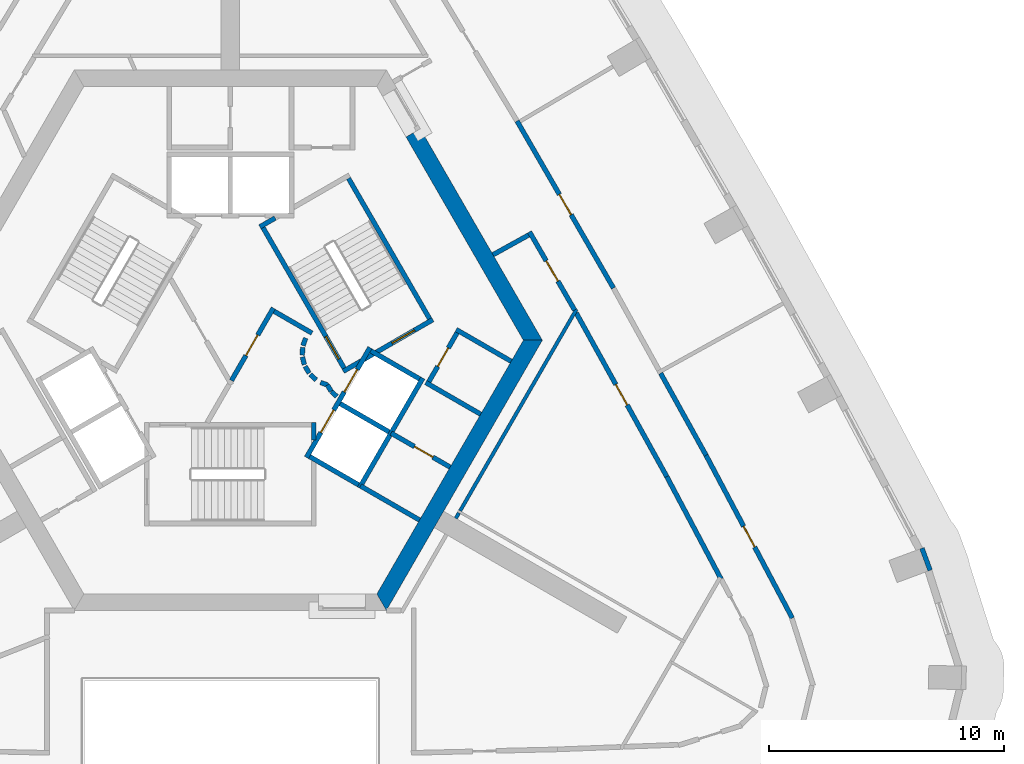
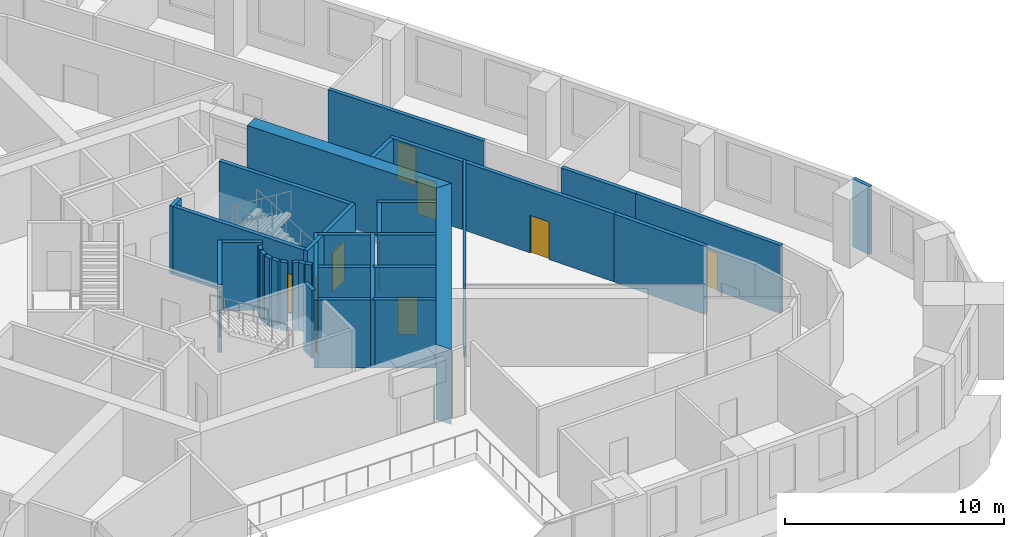
# One storey, part 7 of 13: 37 walls, 11 doors, 11 openings.
"""IFC4 building model written with IfcOpenShell, lengths in metres."""

from ifc_helpers import new_model, si_unit, direction, frame, frame_2d, origin, place, context, subcontext, project, spatial, polyline, rectangle, outline, extrude, material, layer, layer_set, type_object, element, fill, save


model = new_model("IFC4")

# Units and contexts
model_context = context("Model", 3, precision=1e-05, world=origin(), true_north=direction((0.0, 1.0)))
body_context = subcontext(model_context, "Body", "Model", "MODEL_VIEW")
ifc_project = project(units=[si_unit("LENGTHUNIT", "METRE"), si_unit("AREAUNIT", "SQUARE_METRE"), si_unit("VOLUMEUNIT", "CUBIC_METRE"), si_unit("PLANEANGLEUNIT", "RADIAN"), si_unit("MASSUNIT", "GRAM", prefix="KILO")], contexts=[model_context])

# Site, building, storey
site_placement = place(None, origin())
site = spatial("IfcSite", under=ifc_project, at=site_placement, CompositionType="ELEMENT")
building_placement = place(site_placement, origin())
building = spatial("IfcBuilding", under=site, at=building_placement, Name="Entoto Arch Interchange Tower", CompositionType="ELEMENT")
storey_placement = place(building_placement, frame((0.0, 0.0, 219.199951171875)))
storey = spatial("IfcBuildingStorey", under=building, at=storey_placement, Name="L49", CompositionType="ELEMENT", Elevation=219.199951171875)

# Walls
ifc_material_1 = material(Name="Concrete C50/60", Category="concrete")
ifc_layer_1 = layer(ifc_material_1, 0.699951171875)
ifc_layer_set_1 = layer_set([ifc_layer_1], Name="Concrete C50/60")
wall_type_1 = type_object("IfcWallType", Name="Core wall 700 C50/60", PredefinedType="SHEAR", material=ifc_layer_set_1)
wall_1_placement = place(storey_placement, frame((0.0, 0.0, -0.39990234375)))
element("IfcWall", 1, at=wall_1_placement, inside=storey, type_object=wall_type_1, Name="Core wall NE L49", PredefinedType="SHEAR", context=body_context, shape_type="SweptSolid", body=[
    extrude(outline(polyline([(8.083984375, 11.498046875), (7.47802734375, 11.14794921875), (12.470947265625, 2.5), (13.279052734375, 2.5), (8.083984375, 11.498046875)])), origin(), (0.0, 0.0, 1.0), 4.199951171875),
])
wall_2_placement = place(storey_placement, frame((0.0, 0.0, -0.39990234375)))
element("IfcWall", 2, at=wall_2_placement, inside=storey, type_object=wall_type_1, Name="Core wall SE L49", PredefinedType="SHEAR", context=body_context, shape_type="SweptSolid", body=[
    extrude(outline(polyline([(6.639892578125, -9.0), (13.279052734375, 2.5), (12.470947265625, 2.5), (6.235107421875, -8.300048828125), (6.639892578125, -9.0)])), origin(), (0.0, 0.0, 1.0), 4.199951171875),
])

# Wall, openings, doors
ifc_material_2 = material(Name="Concrete C40/50", Category="concrete")
ifc_layer_2 = layer(ifc_material_2, 0.199951171875)
ifc_layer_set_2 = layer_set([ifc_layer_2], Name="Concrete C40/50")
wall_type_2 = type_object("IfcWallType", Name="LIFT SHAFT WALL 200", PredefinedType="STANDARD", material=ifc_layer_set_2)
wall_3_placement = place(storey_placement, frame((3.239990234375, -2.488037109375, 0.0), z_axis=(0.0, 0.0, 1.0), x_axis=(0.500034260056, 0.866005622828, 0.0)))
wall_3 = element("IfcWall", 3, at=wall_3_placement, inside=storey, type_object=wall_type_2, Name="Shaft wall SE1 front", PredefinedType="STANDARD", context=body_context, shape_type="SweptSolid", body=[
    extrude(rectangle(XDim=5.3994140625, YDim=0.199951171875, at=frame_2d((2.69970703125, 0.0))), origin(), (0.0, 0.0, 1.0), 3.800048828125),
])
opening_1_placement = place(wall_3_placement, frame((3.22509765625, 0.0, 0.0)))
opening_1 = element("IfcOpeningElement", 4, at=opening_1_placement, cuts=wall_3, Name="Opening LD-HR3-L49", PredefinedType="OPENING", context=body_context, shape_type="SweptSolid", body=[
    extrude(rectangle(XDim=1.10009765625, YDim=2.10009765625, at=frame_2d((0.550048828125, 1.050048828125))), frame((0.0, 0.10986328125, 0.0), z_axis=(0.0, -1.0, 0.0), x_axis=(1.0, 0.0, 0.0)), (0.0, 0.0, 1.0), 0.219970703125),
])
opening_2_placement = place(wall_3_placement, frame((1.22509765625, 0.0, 0.0)))
opening_2 = element("IfcOpeningElement", 5, at=opening_2_placement, cuts=wall_3, Name="Opening LD-FF1-L49", PredefinedType="OPENING", context=body_context, shape_type="SweptSolid", body=[
    extrude(rectangle(XDim=1.10009765625, YDim=2.10009765625, at=frame_2d((0.550048828125, 1.050048828125))), frame((0.0, 0.10986328125, 0.0), z_axis=(0.0, -1.0, 0.0), x_axis=(1.0, 0.0, 0.0)), (0.0, 0.0, 1.0), 0.219970703125),
])
ifc_material_3 = material(Name="Stainless steel 1.4301 panels", Category="steel")
door_type_1 = type_object("IfcDoorType", Name="LIFT LANDING DOOR LD1 1100x2100", OperationType="SLIDING_TO_LEFT", PredefinedType="DOOR", material=ifc_material_3)
door_1_placement = place(opening_1_placement, origin())
door_1 = element("IfcDoor", 6, at=door_1_placement, inside=storey, type_object=door_type_1, Name="Lift landing door HR3 L49", OperationType="SLIDING_TO_LEFT", OverallHeight=2.10009765625, OverallWidth=1.10009765625, PredefinedType="DOOR", context=body_context, shape_type="SweptSolid", body=[
    extrude(rectangle(XDim=1.10009765625, YDim=2.10009765625, at=frame_2d((0.550048828125, 1.050048828125))), frame((0.0, 0.02490234375, 0.0), z_axis=(0.0, -1.0, 0.0), x_axis=(1.0, 0.0, 0.0)), (0.0, 0.0, 1.0), 0.050048828125),
])
fill(opening_1, door_1)
door_2_placement = place(opening_2_placement, origin())
door_2 = element("IfcDoor", 7, at=door_2_placement, inside=storey, type_object=door_type_1, Name="Lift landing door FF1 L49", OperationType="SLIDING_TO_LEFT", OverallHeight=2.10009765625, OverallWidth=1.10009765625, PredefinedType="DOOR", context=body_context, shape_type="SweptSolid", body=[
    extrude(rectangle(XDim=1.10009765625, YDim=2.10009765625, at=frame_2d((0.550048828125, 1.050048828125))), frame((0.0, 0.02490234375, 0.0), z_axis=(0.0, -1.0, 0.0), x_axis=(1.0, 0.0, 0.0)), (0.0, 0.0, 1.0), 0.050048828125),
])
fill(opening_2, door_2)

# Walls
wall_4_placement = place(storey_placement, frame((5.491943359375, -3.7880859375, 0.0), z_axis=(0.0, 0.0, 1.0), x_axis=(0.500034260056, 0.866005622828, 0.0)))
element("IfcWall", 8, at=wall_4_placement, inside=storey, type_object=wall_type_2, Name="Shaft wall SE1 back", PredefinedType="STANDARD", context=body_context, shape_type="SweptSolid", body=[
    extrude(rectangle(XDim=5.3994140625, YDim=0.199951171875, at=frame_2d((2.69970703125, 0.0))), origin(), (0.0, 0.0, 1.0), 3.800048828125),
])
wall_5_placement = place(storey_placement, frame((3.376953125, -2.451904296875, 0.0), z_axis=(0.0, 0.0, 1.0), x_axis=(0.865955154139, -0.50012165622, 0.0)))
element("IfcWall", 9, at=wall_5_placement, inside=storey, type_object=wall_type_2, Name="Shaft wall SE1 cross 1", PredefinedType="STANDARD", context=body_context, shape_type="SweptSolid", body=[
    extrude(rectangle(XDim=2.39990234375, YDim=0.199951171875, at=frame_2d((1.199951171875, 0.0))), origin(), (0.0, 0.0, 1.0), 3.800048828125),
])
for number, where, z_axis, x_axis, name in (
    (10, (4.677001953125, -0.199951171875, 0.0), (0.0, 0.0, 1.0), (0.865973769406, -0.500089422704, 0.0), "Shaft wall SE1 cross 2"),
    (11, (5.97705078125, 2.052001953125, 0.0), (0.0, 0.0, 1.0), (0.865973769406, -0.500089422704, 0.0), "Shaft wall SE1 cross 3"),
):
    element("IfcWall", number, at=place(storey_placement, frame(where, z_axis=z_axis, x_axis=x_axis)), inside=storey, type_object=wall_type_2, Name=name, PredefinedType="STANDARD", context=body_context, shape_type="SweptSolid", body=[
        extrude(rectangle(XDim=2.3994140625, YDim=0.199951171875, at=frame_2d((1.19970703125, 0.0))), origin(), (0.0, 0.0, 1.0), 3.800048828125),
    ])
ifc_material_4 = material(Name="Gypsum board partition on steel studs", Category="steel")
ifc_layer_3 = layer(ifc_material_4, 0.14990234375)
ifc_layer_set_3 = layer_set([ifc_layer_3], Name="Gypsum board partition on steel studs")
wall_type_3 = type_object("IfcWallType", Name="PARTITION 150", PredefinedType="PARTITIONING", material=ifc_layer_set_3)
wall_6_placement = place(storey_placement, frame((9.779052734375, -4.761962890625, 0.0), z_axis=(0.0, 0.0, 1.0), x_axis=(0.499990552429, 0.866030858274, 0.0)))
element("IfcWall", 12, at=wall_6_placement, inside=storey, type_object=wall_type_3, Name="wall:L49:p088", PredefinedType="PARTITIONING", context=body_context, shape_type="SweptSolid", body=[
    extrude(rectangle(XDim=9.906005859375, YDim=0.14990234375, at=frame_2d((4.953125, 0.0))), origin(), (0.0, 0.0, 1.0), 3.800048828125),
])
wall_7_placement = place(storey_placement, frame((9.595947265625, -5.0791015625, 0.0), z_axis=(0.0, 0.0, 1.0), x_axis=(0.500782702656, 0.865573038351, 0.0)))
element("IfcWall", 13, at=wall_7_placement, inside=storey, type_object=wall_type_3, Name="wall:L49:p087", PredefinedType="PARTITIONING", context=body_context, shape_type="SweptSolid", body=[
    extrude(rectangle(XDim=0.265625, YDim=0.14990234375, at=frame_2d((0.1328125, 0.0))), origin(), (0.0, 0.0, 1.0), 3.800048828125),
])

# Wall, opening, door
ifc_layer_4 = layer(ifc_material_4, 0.199951171875)
ifc_layer_set_4 = layer_set([ifc_layer_4], Name="Gypsum board partition on steel studs")
wall_type_4 = type_object("IfcWallType", Name="PARTITION 200", PredefinedType="PARTITIONING", material=ifc_layer_set_4)
wall_8_placement = place(storey_placement, frame((14.652099609375, 3.782958984375, 0.0), z_axis=(0.0, 0.0, 1.0), x_axis=(-0.499821427992, 0.866128477837, 0.0)))
wall_8 = element("IfcWall", 14, at=wall_8_placement, inside=storey, type_object=wall_type_4, Name="wall:L49:p004", PredefinedType="PARTITIONING", context=body_context, shape_type="SweptSolid", body=[
    extrude(rectangle(XDim=3.84375, YDim=0.199951171875, at=frame_2d((1.921875, 0.0))), origin(), (0.0, 0.0, 1.0), 3.800048828125),
])
opening_3_placement = place(wall_8_placement, frame((1.4208984375, 0.0, 0.0)))
opening_3 = element("IfcOpeningElement", 15, at=opening_3_placement, cuts=wall_8, Name="Opening L49-D27", PredefinedType="OPENING", context=body_context, shape_type="SweptSolid", body=[
    extrude(rectangle(XDim=1.0, YDim=2.10009765625, at=frame_2d((0.5, 1.050048828125))), frame((0.0, 0.10986328125, 0.0), z_axis=(0.0, -1.0, 0.0), x_axis=(1.0, 0.0, 0.0)), (0.0, 0.0, 1.0), 0.219970703125),
])
ifc_material_5 = material(Name="Timber door leaf in Steel S235 frame", Category="steel")
door_type_2 = type_object("IfcDoorType", Name="DOOR DS-10 1000x2100", OperationType="SINGLE_SWING_LEFT", PredefinedType="DOOR", material=ifc_material_5)
door_3_placement = place(opening_3_placement, origin())
door_3 = element("IfcDoor", 16, at=door_3_placement, inside=storey, type_object=door_type_2, Name="door:L49:27", OperationType="SINGLE_SWING_LEFT", OverallHeight=2.10009765625, OverallWidth=1.0, PredefinedType="DOOR", context=body_context, shape_type="SweptSolid", body=[
    extrude(rectangle(XDim=1.0, YDim=2.10009765625, at=frame_2d((0.5, 1.050048828125))), frame((0.0, 0.02490234375, 0.0), z_axis=(0.0, -1.0, 0.0), x_axis=(1.0, 0.0, 0.0)), (0.0, 0.0, 1.0), 0.050048828125),
])
fill(opening_3, door_3)

# Walls
wall_9_placement = place(storey_placement, frame((12.693115234375, 6.97607421875, 0.0), z_axis=(0.0, 0.0, 1.0), x_axis=(-0.874908151187, -0.484288887944, 0.0)))
element("IfcWall", 17, at=wall_9_placement, inside=storey, type_object=wall_type_4, Name="wall:L49:p005", PredefinedType="PARTITIONING", context=body_context, shape_type="SweptSolid", body=[
    extrude(rectangle(XDim=1.730712890625, YDim=0.199951171875, at=frame_2d((0.865234375, 0.0))), origin(), (0.0, 0.0, 1.0), 3.800048828125),
])
wall_10_placement = place(storey_placement, frame((20.882080078125, -7.658935546875, 0.0), z_axis=(0.0, 0.0, 1.0), x_axis=(-0.468206254133, 0.883619207346, 0.0)))
element("IfcWall", 18, at=wall_10_placement, inside=storey, type_object=wall_type_4, Name="wall:L49:p016", PredefinedType="PARTITIONING", context=body_context, shape_type="SweptSolid", body=[
    extrude(rectangle(XDim=4.9296875, YDim=0.199951171875, at=frame_2d((2.46484375, 0.0))), origin(), (0.0, 0.0, 1.0), 3.800048828125),
])

# Wall, opening, door
wall_11_placement = place(storey_placement, frame((18.573974609375, -3.302978515625, 0.0), z_axis=(0.0, 0.0, 1.0), x_axis=(-0.484239190765, 0.874935658279, 0.0)))
wall_11 = element("IfcWall", 19, at=wall_11_placement, inside=storey, type_object=wall_type_4, Name="wall:L49:p017", PredefinedType="PARTITIONING", context=body_context, shape_type="SweptSolid", body=[
    extrude(rectangle(XDim=7.962890625, YDim=0.199951171875, at=frame_2d((3.9814453125, 0.0))), origin(), (0.0, 0.0, 1.0), 3.800048828125),
])
opening_4_placement = place(wall_11_placement, frame((3.48193359375, 0.0, 0.0)))
opening_4 = element("IfcOpeningElement", 20, at=opening_4_placement, cuts=wall_11, Name="Opening L49-D17", PredefinedType="OPENING", context=body_context, shape_type="SweptSolid", body=[
    extrude(rectangle(XDim=1.0, YDim=2.10009765625, at=frame_2d((0.5, 1.050048828125))), frame((0.0, 0.10986328125, 0.0), z_axis=(0.0, -1.0, 0.0), x_axis=(1.0, 0.0, 0.0)), (0.0, 0.0, 1.0), 0.219970703125),
])
door_4_placement = place(opening_4_placement, origin())
door_4 = element("IfcDoor", 21, at=door_4_placement, inside=storey, type_object=door_type_2, Name="door:L49:17", OperationType="SINGLE_SWING_LEFT", OverallHeight=2.10009765625, OverallWidth=1.0, PredefinedType="DOOR", context=body_context, shape_type="SweptSolid", body=[
    extrude(rectangle(XDim=1.0, YDim=2.10009765625, at=frame_2d((0.5, 1.050048828125))), frame((0.0, 0.02490234375, 0.0), z_axis=(0.0, -1.0, 0.0), x_axis=(1.0, 0.0, 0.0)), (0.0, 0.0, 1.0), 0.050048828125),
])
fill(opening_4, door_4)

# Wall
wall_12_placement = place(storey_placement, frame((18.31201171875, 1.093994140625, 0.0), z_axis=(0.0, 0.0, 1.0), x_axis=(0.484328424129, -0.874886265511, 0.0)))
element("IfcWall", 22, at=wall_12_placement, inside=storey, type_object=wall_type_4, Name="wall:L49:p037", PredefinedType="PARTITIONING", context=body_context, shape_type="SweptSolid", body=[
    extrude(rectangle(XDim=3.9912109375, YDim=0.199951171875, at=frame_2d((1.99560546875, 0.0))), origin(), (0.0, 0.0, 1.0), 3.800048828125),
])

# Wall, opening, door
wall_13_placement = place(storey_placement, frame((20.2451171875, -2.39794921875, 0.0), z_axis=(0.0, 0.0, 1.0), x_axis=(0.468063775621, -0.883694688199, 0.0)))
wall_13 = element("IfcWall", 23, at=wall_13_placement, inside=storey, type_object=wall_type_4, Name="wall:L49:p038", PredefinedType="PARTITIONING", context=body_context, shape_type="SweptSolid", body=[
    extrude(rectangle(XDim=7.83642578125, YDim=0.199951171875, at=frame_2d((3.918212890625, 0.0))), origin(), (0.0, 0.0, 1.0), 3.800048828125),
])
opening_5_placement = place(wall_13_placement, frame((3.41796875, 0.0, 0.0)))
opening_5 = element("IfcOpeningElement", 24, at=opening_5_placement, cuts=wall_13, Name="Opening L49-D03", PredefinedType="OPENING", context=body_context, shape_type="SweptSolid", body=[
    extrude(rectangle(XDim=1.0, YDim=2.10009765625, at=frame_2d((0.5, 1.050048828125))), frame((0.0, 0.10986328125, 0.0), z_axis=(0.0, -1.0, 0.0), x_axis=(1.0, 0.0, 0.0)), (0.0, 0.0, 1.0), 0.219970703125),
])
door_5_placement = place(opening_5_placement, origin())
door_5 = element("IfcDoor", 25, at=door_5_placement, inside=storey, type_object=door_type_2, Name="door:L49:03", OperationType="SINGLE_SWING_LEFT", OverallHeight=2.10009765625, OverallWidth=1.0, PredefinedType="DOOR", context=body_context, shape_type="SweptSolid", body=[
    extrude(rectangle(XDim=1.0, YDim=2.10009765625, at=frame_2d((0.5, 1.050048828125))), frame((0.0, 0.02490234375, 0.0), z_axis=(0.0, -1.0, 0.0), x_axis=(1.0, 0.0, 0.0)), (0.0, 0.0, 1.0), 0.050048828125),
])
fill(opening_5, door_5)

wall_14_placement = place(storey_placement, frame((12.201904296875, 11.827880859375, 0.0), z_axis=(0.0, 0.0, 1.0), x_axis=(0.499919823193, -0.866071688937, 0.0)))
wall_14 = element("IfcWall", 26, at=wall_14_placement, inside=storey, type_object=wall_type_4, Name="wall:L49:p043", PredefinedType="PARTITIONING", context=body_context, shape_type="SweptSolid", body=[
    extrude(rectangle(XDim=8.209228515625, YDim=0.199951171875, at=frame_2d((4.1044921875, 0.0))), origin(), (0.0, 0.0, 1.0), 3.800048828125),
])
opening_6_placement = place(wall_14_placement, frame((3.60400390625, 0.0, 0.0)))
opening_6 = element("IfcOpeningElement", 27, at=opening_6_placement, cuts=wall_14, Name="Opening L49-D04", PredefinedType="OPENING", context=body_context, shape_type="SweptSolid", body=[
    extrude(rectangle(XDim=1.0, YDim=2.10009765625, at=frame_2d((0.5, 1.050048828125))), frame((0.0, 0.10986328125, 0.0), z_axis=(0.0, -1.0, 0.0), x_axis=(1.0, 0.0, 0.0)), (0.0, 0.0, 1.0), 0.219970703125),
])
door_6_placement = place(opening_6_placement, origin())
door_6 = element("IfcDoor", 28, at=door_6_placement, inside=storey, type_object=door_type_2, Name="door:L49:04", OperationType="SINGLE_SWING_RIGHT", OverallHeight=2.10009765625, OverallWidth=1.0, PredefinedType="DOOR", context=body_context, shape_type="SweptSolid", body=[
    extrude(rectangle(XDim=1.0, YDim=2.10009765625, at=frame_2d((0.5, 1.050048828125))), frame((0.0, 0.02490234375, 0.0), z_axis=(0.0, -1.0, 0.0), x_axis=(1.0, 0.0, 0.0)), (0.0, 0.0, 1.0), 0.050048828125),
])
fill(opening_6, door_6)

# Wall
wall_15_placement = place(storey_placement, frame((8.052978515625, -5.152099609375, 0.0), z_axis=(0.0, 0.0, 1.0), x_axis=(-0.865808344015, 0.500375770231, 0.0)))
element("IfcWall", 29, at=wall_15_placement, inside=storey, type_object=wall_type_4, Name="wall:L49:p073", PredefinedType="PARTITIONING", context=body_context, shape_type="SweptSolid", body=[
    extrude(rectangle(XDim=2.900146484375, YDim=0.199951171875, at=frame_2d((1.4501953125, 0.0))), origin(), (0.0, 0.0, 1.0), 3.800048828125),
])

# Wall, opening, door
wall_16_placement = place(storey_placement, frame((6.841064453125, -1.450927734375, 0.0), z_axis=(0.0, 0.0, 1.0), x_axis=(0.866220623736, -0.499661716578, 0.0)))
wall_16 = element("IfcWall", 30, at=wall_16_placement, inside=storey, type_object=wall_type_4, Name="wall:L49:p074", PredefinedType="PARTITIONING", context=body_context, shape_type="SweptSolid", body=[
    extrude(rectangle(XDim=2.89990234375, YDim=0.199951171875, at=frame_2d((1.449951171875, 0.0))), origin(), (0.0, 0.0, 1.0), 3.800048828125),
])
opening_7_placement = place(wall_16_placement, frame((1.14990234375, 0.0, 0.0)))
opening_7 = element("IfcOpeningElement", 31, at=opening_7_placement, cuts=wall_16, Name="Opening L49-D32", PredefinedType="OPENING", context=body_context, shape_type="SweptSolid", body=[
    extrude(rectangle(XDim=0.89990234375, YDim=2.10009765625, at=frame_2d((0.449951171875, 1.050048828125))), frame((0.0, 0.10986328125, 0.0), z_axis=(0.0, -1.0, 0.0), x_axis=(1.0, 0.0, 0.0)), (0.0, 0.0, 1.0), 0.219970703125),
])
door_type_3 = type_object("IfcDoorType", Name="DOOR DS-09 900x2100", OperationType="SINGLE_SWING_LEFT", PredefinedType="DOOR", material=ifc_material_5)
door_7_placement = place(opening_7_placement, origin())
door_7 = element("IfcDoor", 32, at=door_7_placement, inside=storey, type_object=door_type_3, Name="door:L49:32", OperationType="SINGLE_SWING_LEFT", OverallHeight=2.10009765625, OverallWidth=0.89990234375, PredefinedType="DOOR", context=body_context, shape_type="SweptSolid", body=[
    extrude(rectangle(XDim=0.89990234375, YDim=2.10009765625, at=frame_2d((0.449951171875, 1.050048828125))), frame((0.0, 0.02490234375, 0.0), z_axis=(0.0, -1.0, 0.0), x_axis=(1.0, 0.0, 0.0)), (0.0, 0.0, 1.0), 0.050048828125),
])
fill(opening_7, door_7)

# Wall
wall_17_placement = place(storey_placement, frame((10.653076171875, -0.64794921875, 0.0), z_axis=(0.0, 0.0, 1.0), x_axis=(-0.866036505625, 0.499980770555, 0.0)))
element("IfcWall", 33, at=wall_17_placement, inside=storey, type_object=wall_type_4, Name="wall:L49:p075", PredefinedType="PARTITIONING", context=body_context, shape_type="SweptSolid", body=[
    extrude(rectangle(XDim=2.69970703125, YDim=0.199951171875, at=frame_2d((1.349853515625, 0.0))), origin(), (0.0, 0.0, 1.0), 3.800048828125),
])

# Wall, opening, door
wall_18_placement = place(storey_placement, frame((8.450927734375, 0.738037109375, 0.0), z_axis=(0.0, 0.0, 1.0), x_axis=(0.499913221443, 0.866075499611, 0.0)))
wall_18 = element("IfcWall", 34, at=wall_18_placement, inside=storey, type_object=wall_type_4, Name="wall:L49:p076", PredefinedType="PARTITIONING", context=body_context, shape_type="SweptSolid", body=[
    extrude(rectangle(XDim=2.400390625, YDim=0.199951171875, at=frame_2d((1.2001953125, 0.0))), origin(), (0.0, 0.0, 1.0), 3.800048828125),
])
opening_8_placement = place(wall_18_placement, frame((0.75, 0.0, 0.0)))
opening_8 = element("IfcOpeningElement", 35, at=opening_8_placement, cuts=wall_18, Name="Opening L49-D33", PredefinedType="OPENING", context=body_context, shape_type="SweptSolid", body=[
    extrude(rectangle(XDim=0.89990234375, YDim=2.10009765625, at=frame_2d((0.449951171875, 1.050048828125))), frame((0.0, 0.10986328125, 0.0), z_axis=(0.0, -1.0, 0.0), x_axis=(1.0, 0.0, 0.0)), (0.0, 0.0, 1.0), 0.219970703125),
])
door_8_placement = place(opening_8_placement, origin())
door_8 = element("IfcDoor", 36, at=door_8_placement, inside=storey, type_object=door_type_3, Name="door:L49:33", OperationType="SINGLE_SWING_LEFT", OverallHeight=2.10009765625, OverallWidth=0.89990234375, PredefinedType="DOOR", context=body_context, shape_type="SweptSolid", body=[
    extrude(rectangle(XDim=0.89990234375, YDim=2.10009765625, at=frame_2d((0.449951171875, 1.050048828125))), frame((0.0, 0.02490234375, 0.0), z_axis=(0.0, -1.0, 0.0), x_axis=(1.0, 0.0, 0.0)), (0.0, 0.0, 1.0), 0.050048828125),
])
fill(opening_8, door_8)

# Wall
wall_19_placement = place(storey_placement, frame((9.614990234375, 2.952880859375, 0.0), z_axis=(0.0, 0.0, 1.0), x_axis=(0.866013897511, -0.50001992892, 0.0)))
element("IfcWall", 37, at=wall_19_placement, inside=storey, type_object=wall_type_4, Name="wall:L49:p077", PredefinedType="PARTITIONING", context=body_context, shape_type="SweptSolid", body=[
    extrude(rectangle(XDim=2.69970703125, YDim=0.199951171875, at=frame_2d((1.349853515625, 0.0))), origin(), (0.0, 0.0, 1.0), 3.800048828125),
])

# Wall, opening, door
wall_20_placement = place(storey_placement, frame((0.050048828125, 0.787109375, 0.0), z_axis=(0.0, 0.0, 1.0), x_axis=(0.499954076797, 0.866051915934, 0.0)))
wall_20 = element("IfcWall", 38, at=wall_20_placement, inside=storey, type_object=wall_type_4, Name="wall:L49:p090", PredefinedType="PARTITIONING", context=body_context, shape_type="SweptSolid", body=[
    extrude(rectangle(XDim=3.558349609375, YDim=0.199951171875, at=frame_2d((1.779296875, 0.0))), origin(), (0.0, 0.0, 1.0), 3.800048828125),
])
opening_9_placement = place(wall_20_placement, frame((1.22900390625, 0.0, 0.0)))
opening_9 = element("IfcOpeningElement", 39, at=opening_9_placement, cuts=wall_20, Name="Opening L49-D28", PredefinedType="OPENING", context=body_context, shape_type="SweptSolid", body=[
    extrude(rectangle(XDim=1.0, YDim=2.10009765625, at=frame_2d((0.5, 1.050048828125))), frame((0.0, 0.10986328125, 0.0), z_axis=(0.0, -1.0, 0.0), x_axis=(1.0, 0.0, 0.0)), (0.0, 0.0, 1.0), 0.219970703125),
])
ifc_material_6 = material(Name="Fire-rated Steel S235 door and frame", Category="steel")
door_type_4 = type_object("IfcDoorType", Name="DOOR FD-10 1000x2100", OperationType="SINGLE_SWING_LEFT", PredefinedType="DOOR", material=ifc_material_6)
door_9_placement = place(opening_9_placement, origin())
door_9 = element("IfcDoor", 40, at=door_9_placement, inside=storey, type_object=door_type_4, Name="door:L49:28", OperationType="SINGLE_SWING_RIGHT", OverallHeight=2.10009765625, OverallWidth=1.0, PredefinedType="DOOR", context=body_context, shape_type="SweptSolid", body=[
    extrude(rectangle(XDim=1.0, YDim=2.10009765625, at=frame_2d((0.5, 1.050048828125))), frame((0.0, 0.02490234375, 0.0), z_axis=(0.0, -1.0, 0.0), x_axis=(1.0, 0.0, 0.0)), (0.0, 0.0, 1.0), 0.050048828125),
])
fill(opening_9, door_9)

# Walls
wall_21_placement = place(storey_placement, frame((1.865966796875, 3.73193359375, 0.0), z_axis=(0.0, 0.0, 1.0), x_axis=(0.866043361281, -0.499968895414, 0.0)))
element("IfcWall", 41, at=wall_21_placement, inside=storey, type_object=wall_type_4, Name="wall:L49:p091", PredefinedType="PARTITIONING", context=body_context, shape_type="SweptSolid", body=[
    extrude(rectangle(XDim=1.85791015625, YDim=0.199951171875, at=frame_2d((0.928955078125, 0.0))), origin(), (0.0, 0.0, 1.0), 3.800048828125),
])
wall_22_placement = place(storey_placement, frame((3.2080078125, 2.592041015625, 0.0), z_axis=(0.0, 0.0, 1.0), x_axis=(-0.337388820924, -0.941365382578, 0.0)))
element("IfcWall", 42, at=wall_22_placement, inside=storey, type_object=wall_type_4, Name="wall:L49:p092", PredefinedType="PARTITIONING", context=body_context, shape_type="SweptSolid", body=[
    extrude(rectangle(XDim=0.337890625, YDim=0.199951171875, at=frame_2d((0.1689453125, 0.0))), origin(), (0.0, 0.0, 1.0), 3.800048828125),
])
wall_23_placement = place(storey_placement, frame((3.0791015625, 2.198974609375, 0.0), z_axis=(0.0, 0.0, 1.0), x_axis=(-0.047771483479, -0.998858290933, 0.0)))
element("IfcWall", 43, at=wall_23_placement, inside=storey, type_object=wall_type_4, Name="wall:L49:p093", PredefinedType="PARTITIONING", context=body_context, shape_type="SweptSolid", body=[
    extrude(rectangle(XDim=0.33740234375, YDim=0.199951171875, at=frame_2d((0.168701171875, 0.0))), origin(), (0.0, 0.0, 1.0), 3.800048828125),
])
wall_24_placement = place(storey_placement, frame((3.070068359375, 1.785888671875, 0.0), z_axis=(0.0, 0.0, 1.0), x_axis=(0.242705583207, -0.970099994784, 0.0)))
element("IfcWall", 44, at=wall_24_placement, inside=storey, type_object=wall_type_4, Name="wall:L49:p094", PredefinedType="PARTITIONING", context=body_context, shape_type="SweptSolid", body=[
    extrude(rectangle(XDim=0.337890625, YDim=0.199951171875, at=frame_2d((0.1689453125, 0.0))), origin(), (0.0, 0.0, 1.0), 3.800048828125),
])
for number, where, z_axis, x_axis, name in (
    (45, (3.181884765625, 1.387939453125, 0.0), (0.0, 0.0, 1.0), (0.512474702713, -0.85870232274, 0.0), "wall:L49:p095"),
    (46, (3.404052734375, 1.0390625, 0.0), (0.0, 0.0, 1.0), (0.740267097712, -0.672312891476, 0.0), "wall:L49:p096"),
):
    element("IfcWall", number, at=place(storey_placement, frame(where, z_axis=z_axis, x_axis=x_axis)), inside=storey, type_object=wall_type_4, Name=name, PredefinedType="PARTITIONING", context=body_context, shape_type="SweptSolid", body=[
        extrude(rectangle(XDim=0.337646484375, YDim=0.199951171875, at=frame_2d((0.1689453125, 0.0))), origin(), (0.0, 0.0, 1.0), 3.800048828125),
    ])
wall_25_placement = place(storey_placement, frame((3.837890625, 0.701904296875, 0.0), z_axis=(0.0, 0.0, 1.0), x_axis=(0.941035081519, -0.338308993895, 0.0)))
element("IfcWall", 47, at=wall_25_placement, inside=storey, type_object=wall_type_4, Name="wall:L49:p097", PredefinedType="PARTITIONING", context=body_context, shape_type="SweptSolid", body=[
    extrude(rectangle(XDim=0.3369140625, YDim=0.199951171875, at=frame_2d((0.16845703125, 0.0))), origin(), (0.0, 0.0, 1.0), 3.800048828125),
])
wall_26_placement = place(storey_placement, frame((4.132080078125, 0.593017578125, 0.0), z_axis=(0.0, 0.0, 1.0), x_axis=(0.513561617048, -0.858052717201, 0.0)))
element("IfcWall", 48, at=wall_26_placement, inside=storey, type_object=wall_type_4, Name="wall:L49:p098", PredefinedType="PARTITIONING", context=body_context, shape_type="SweptSolid", body=[
    extrude(rectangle(XDim=0.3076171875, YDim=0.199951171875, at=frame_2d((0.15380859375, 0.0))), origin(), (0.0, 0.0, 1.0), 3.800048828125),
])
wall_27_placement = place(storey_placement, frame((4.301025390625, 0.31494140625, 0.0), z_axis=(0.0, 0.0, 1.0), x_axis=(0.741798017506, -0.670623367639, 0.0)))
element("IfcWall", 49, at=wall_27_placement, inside=storey, type_object=wall_type_4, Name="wall:L49:p099", PredefinedType="PARTITIONING", context=body_context, shape_type="SweptSolid", body=[
    extrude(rectangle(XDim=0.30859375, YDim=0.199951171875, at=frame_2d((0.154296875, 0.0))), origin(), (0.0, 0.0, 1.0), 3.800048828125),
])
ifc_layer_5 = layer(ifc_material_2, 0.199951171875)
ifc_layer_set_5 = layer_set([ifc_layer_5], Name="Concrete C40/50")
wall_type_5 = type_object("IfcWallType", Name="STAIR ENCLOSURE WALL 200", PredefinedType="STANDARD", material=ifc_layer_set_5)
wall_28_placement = place(storey_placement, frame((3.550048828125, -1.0, 0.0), z_axis=(0.0, 0.0, 1.0), x_axis=(0.0, -1.0, 0.0)))
element("IfcWall", 50, at=wall_28_placement, inside=storey, type_object=wall_type_5, Name="Stair wall ST-S far return", PredefinedType="STANDARD", context=body_context, shape_type="SweptSolid", body=[
    extrude(rectangle(XDim=0.7509765625, YDim=0.199951171875, at=frame_2d((0.37548828125, 0.0))), origin(), (0.0, 0.0, 1.0), 3.800048828125),
])

# Wall, opening, door
wall_29_placement = place(storey_placement, frame((4.805908203125, 1.176025390625, 0.0), z_axis=(0.0, 0.0, 1.0), x_axis=(0.866059941101, 0.499940174841, 0.0)))
wall_29 = element("IfcWall", 51, at=wall_29_placement, inside=storey, type_object=wall_type_5, Name="Stair wall ST-NE near", PredefinedType="STANDARD", context=body_context, shape_type="SweptSolid", body=[
    extrude(rectangle(XDim=4.400390625, YDim=0.199951171875, at=frame_2d((2.2001953125, 0.0))), origin(), (0.0, 0.0, 1.0), 3.800048828125),
])
opening_10_placement = place(wall_29_placement, frame((2.39990234375, 0.0, 0.0)))
opening_10 = element("IfcOpeningElement", 52, at=opening_10_placement, cuts=wall_29, Name="Opening SD-ST-NE-L49-E", PredefinedType="OPENING", context=body_context, shape_type="SweptSolid", body=[
    extrude(rectangle(XDim=1.10009765625, YDim=2.199951171875, at=frame_2d((0.550048828125, 1.10009765625))), frame((0.0, 0.10986328125, 0.0), z_axis=(0.0, -1.0, 0.0), x_axis=(1.0, 0.0, 0.0)), (0.0, 0.0, 1.0), 0.219970703125),
])
ifc_material_7 = material(Name="Steel S235", Category="steel")
door_type_5 = type_object("IfcDoorType", Name="STAIR DOOR SD1 1100x2200", OperationType="SINGLE_SWING_LEFT", PredefinedType="DOOR", material=ifc_material_7)
door_10_placement = place(opening_10_placement, origin())
door_10 = element("IfcDoor", 53, at=door_10_placement, inside=storey, type_object=door_type_5, Name="Stair door ST-NE L49 end", OperationType="SINGLE_SWING_LEFT", OverallHeight=2.199951171875, OverallWidth=1.10009765625, PredefinedType="DOOR", context=body_context, shape_type="SweptSolid", body=[
    extrude(rectangle(XDim=1.10009765625, YDim=2.199951171875, at=frame_2d((0.550048828125, 1.10009765625))), frame((0.0, 0.02490234375, 0.0), z_axis=(0.0, -1.0, 0.0), x_axis=(1.0, 0.0, 0.0)), (0.0, 0.0, 1.0), 0.050048828125),
])
fill(opening_10, door_10)

# Wall
wall_30_placement = place(storey_placement, frame((1.256103515625, 7.323974609375, 0.0), z_axis=(0.0, 0.0, 1.0), x_axis=(0.865915093549, 0.500191014278, 0.0)))
element("IfcWall", 54, at=wall_30_placement, inside=storey, type_object=wall_type_5, Name="Stair wall ST-NE far return", PredefinedType="STANDARD", context=body_context, shape_type="SweptSolid", body=[
    extrude(rectangle(XDim=0.751708984375, YDim=0.199951171875, at=frame_2d((0.3759765625, 0.0))), origin(), (0.0, 0.0, 1.0), 3.800048828125),
])

# Wall, opening, door
wall_31_placement = place(storey_placement, frame((4.843017578125, 1.31201171875, 0.0), z_axis=(0.0, 0.0, 1.0), x_axis=(-0.499963383562, 0.866046543262, 0.0)))
wall_31 = element("IfcWall", 55, at=wall_31_placement, inside=storey, type_object=wall_type_5, Name="Stair wall ST-NE hall", PredefinedType="STANDARD", context=body_context, shape_type="SweptSolid", body=[
    extrude(rectangle(XDim=6.900390625, YDim=0.199951171875, at=frame_2d((3.4501953125, 0.0))), origin(), (0.0, 0.0, 1.0), 3.800048828125),
])
opening_11_placement = place(wall_31_placement, frame((0.449951171875, 0.0, 0.0)))
opening_11 = element("IfcOpeningElement", 56, at=opening_11_placement, cuts=wall_31, Name="Opening SD-ST-NE-L49", PredefinedType="OPENING", context=body_context, shape_type="SweptSolid", body=[
    extrude(rectangle(XDim=1.10009765625, YDim=2.199951171875, at=frame_2d((0.550048828125, 1.10009765625))), frame((0.0, 0.10986328125, 0.0), z_axis=(0.0, -1.0, 0.0), x_axis=(1.0, 0.0, 0.0)), (0.0, 0.0, 1.0), 0.219970703125),
])
door_11_placement = place(opening_11_placement, origin())
door_11 = element("IfcDoor", 57, at=door_11_placement, inside=storey, type_object=door_type_5, Name="Stair door ST-NE L49", OperationType="SINGLE_SWING_LEFT", OverallHeight=2.199951171875, OverallWidth=1.10009765625, PredefinedType="DOOR", context=body_context, shape_type="SweptSolid", body=[
    extrude(rectangle(XDim=1.10009765625, YDim=2.199951171875, at=frame_2d((0.550048828125, 1.10009765625))), frame((0.0, 0.02490234375, 0.0), z_axis=(0.0, -1.0, 0.0), x_axis=(1.0, 0.0, 0.0)), (0.0, 0.0, 1.0), 0.050048828125),
])
fill(opening_11, door_11)

# Walls
wall_32_placement = place(storey_placement, frame((8.47998046875, 3.412109375, 0.0), z_axis=(0.0, 0.0, 1.0), x_axis=(-0.499978703459, 0.866037698999, 0.0)))
element("IfcWall", 58, at=wall_32_placement, inside=storey, type_object=wall_type_5, Name="Stair wall ST-NE back", PredefinedType="STANDARD", context=body_context, shape_type="SweptSolid", body=[
    extrude(rectangle(XDim=6.900146484375, YDim=0.199951171875, at=frame_2d((3.4501953125, 0.0))), origin(), (0.0, 0.0, 1.0), 3.800048828125),
])
ifc_material_8 = material(Name="Welded tuff (ignimbrite) cladding, warm buff", Category="masonry")
ifc_layer_6 = layer(ifc_material_8, 0.199951171875)
ifc_layer_set_6 = layer_set([ifc_layer_6], Name="Welded tuff (ignimbrite) cladding, warm buff")
wall_type_6 = type_object("IfcWallType", Name="STONE PIER CLADDING 200", PredefinedType="STANDARD", material=ifc_layer_set_6)
wall_33_placement = place(storey_placement, frame((29.780029296875, -7.2919921875, 0.0), z_axis=(0.0, 0.0, 1.0), x_axis=(-0.346892928577, 0.937904737222, 0.0)))
element("IfcWall", 59, at=wall_33_placement, inside=storey, type_object=wall_type_6, Name="Stone pier NE01 L49", PredefinedType="STANDARD", context=body_context, shape_type="SweptSolid", body=[
    extrude(rectangle(XDim=1.0, YDim=0.199951171875, at=frame_2d((0.5, 0.0))), origin(), (0.0, 0.0, 1.0), 3.800048828125),
])

save(model, "model.ifc")
